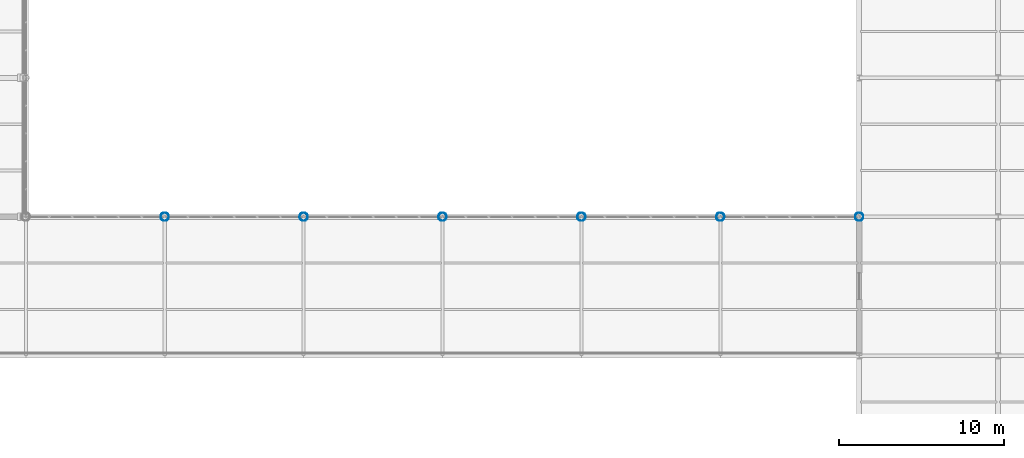
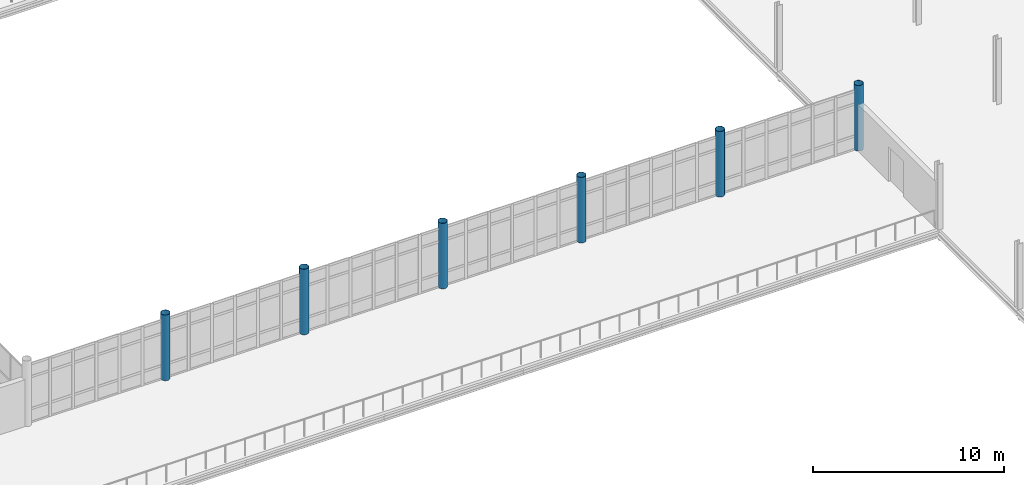
# One storey, part 7 of 163: 6 columns.
"""IFC4 building model written with IfcOpenShell, lengths in metres."""

from ifc_helpers import new_model, si_unit, direction, frame, origin, origin_2d, place, context, subcontext, project, spatial, hollow_circle, extrude, material, material_profile, profile_set, type_object, element, save


model = new_model("IFC4")

# Units and contexts
model_context = context("Model", 3, precision=1e-05, world=origin(), true_north=direction((0.0, 1.0)))
body_context = subcontext(model_context, "Body", "Model", "MODEL_VIEW")
ifc_project = project(units=[si_unit("LENGTHUNIT", "METRE"), si_unit("AREAUNIT", "SQUARE_METRE"), si_unit("VOLUMEUNIT", "CUBIC_METRE"), si_unit("PLANEANGLEUNIT", "RADIAN"), si_unit("MASSUNIT", "GRAM", prefix="KILO")], contexts=[model_context])

# Site, building, storey
site_placement = place(None, origin())
site = spatial("IfcSite", under=ifc_project, at=site_placement, CompositionType="ELEMENT")
building_placement = place(site_placement, origin())
building = spatial("IfcBuilding", under=site, at=building_placement, Name="Qalvenar Corner Mobility Hub", CompositionType="ELEMENT")
storey_placement = place(building_placement, frame((0.0, 0.0, 4.800048828125)))
storey = spatial("IfcBuildingStorey", under=building, at=storey_placement, Name="L01", CompositionType="ELEMENT", Elevation=4.800048828125)

# Columns
ifc_material = material(Name="Steel S355", Category="steel")
ifc_material_profile = material_profile(ifc_material, hollow_circle(Radius=0.25390625, WallThickness=0.01611328125, at=origin_2d()), Name="CHS508x16")
ifc_profile_set = profile_set([ifc_material_profile], Name="Steel S355")
column_type = type_object("IfcColumnType", Name="COL-CHS508", PredefinedType="COLUMN", material=ifc_profile_set)
for number, where, z_axis, x_axis, name in (
    (1, (67.199951171875, 33.60009765625, 0.0), (0.0, 0.0, 1.0), (1.0, 0.0, 0.0), "Steel Column L01-G9-4"),
    (2, (75.60009765625, 33.60009765625, 0.0), (0.0, 0.0, 1.0), (1.0, 0.0, 0.0), "Steel Column L01-G10-4"),
    (3, (84.0, 33.60009765625, 0.0), (0.0, 0.0, 1.0), (1.0, 0.0, 0.0), "Steel Column L01-G11-4"),
    (4, (92.39990234375, 33.60009765625, 0.0), (0.0, 0.0, 1.0), (1.0, 0.0, 0.0), "Steel Column L01-G12-4"),
    (5, (100.800048828125, 33.60009765625, 0.0), (0.0, 0.0, 1.0), (1.0, 0.0, 0.0), "Steel Column L01-G13-4"),
    (6, (109.199951171875, 33.60009765625, 0.0), (0.0, 0.0, 1.0), (1.0, 0.0, 0.0), "Steel Column L01-G14-4"),
):
    element("IfcColumn", number, at=place(storey_placement, frame(where, z_axis=z_axis, x_axis=x_axis)), inside=storey, type_object=column_type, Name=name, PredefinedType="COLUMN", context=body_context, shape_type="SweptSolid", body=[
        extrude(hollow_circle(Radius=0.25390625, WallThickness=0.01611328125, at=origin_2d()), origin(), (0.0, 0.0, 1.0), 4.199951171875),
    ])

save(model, "model.ifc")
